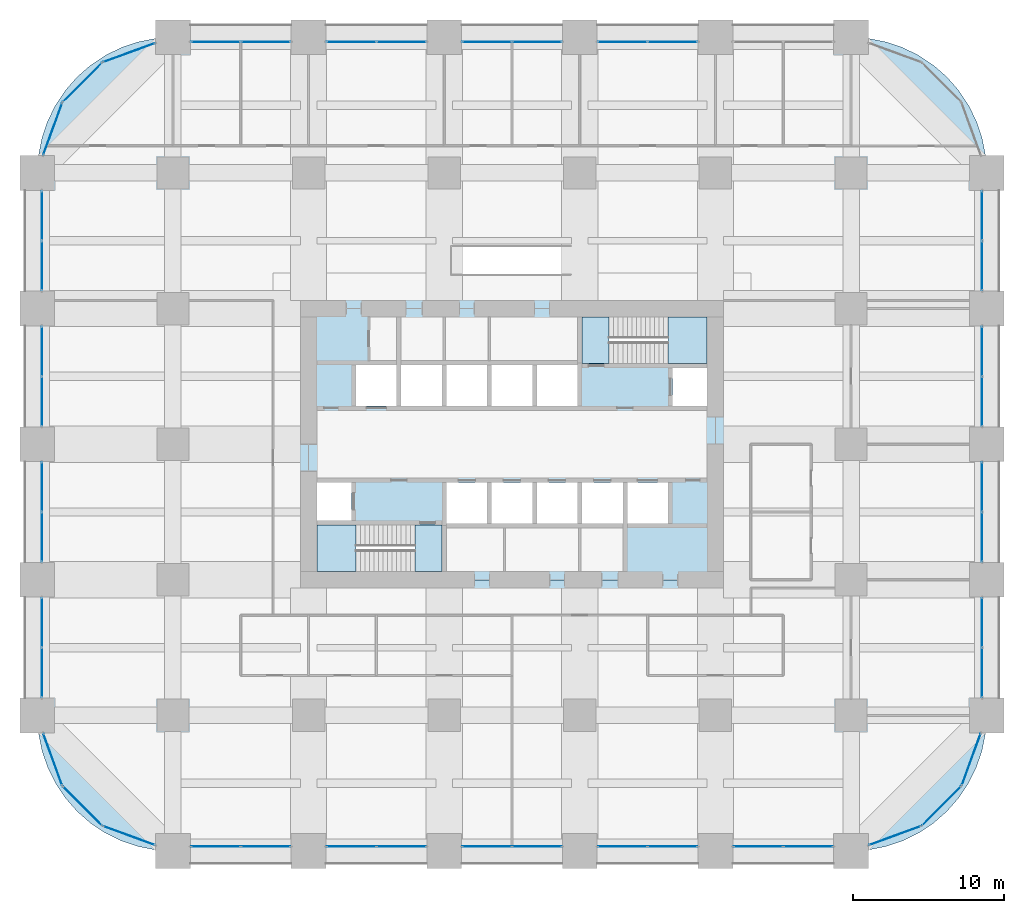
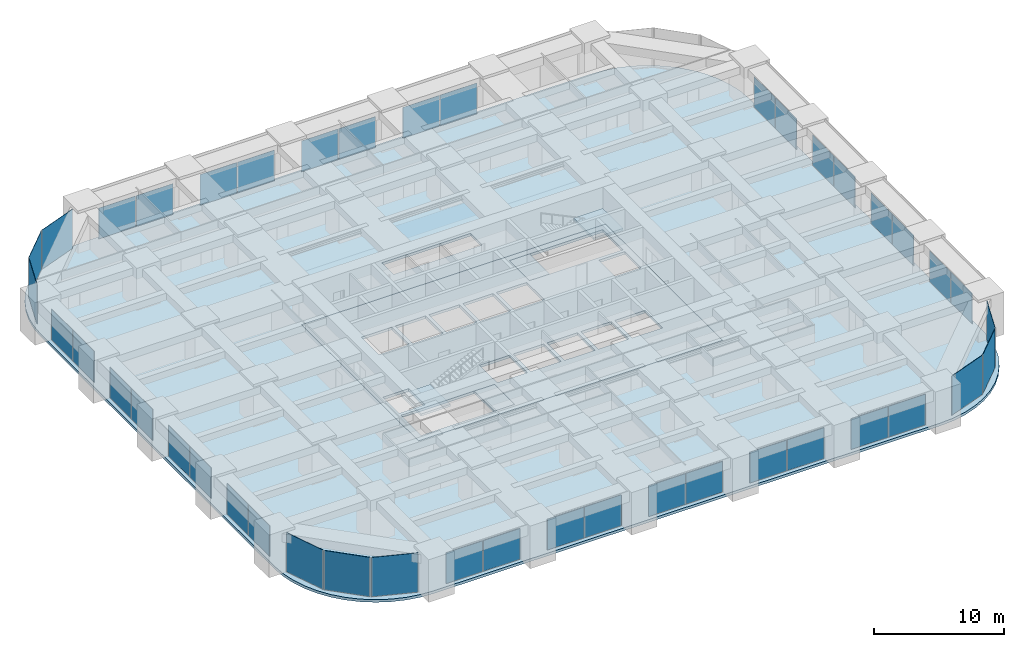
# One storey, part 38 of 44: 43 plates, 6 slabs, 28 elements without a shape of their own.
"""IFC4 building model written with IfcOpenShell, lengths in metres."""

from ifc_helpers import new_model, si_unit, direction, frame, origin, origin_2d, place, context, subcontext, project, spatial, polyline, rectangle, outline, extrude, material, layer, layer_set, type_object, element, aggregate, save


model = new_model("IFC4")

# Units and contexts
model_context = context("Model", 3, precision=1e-05, world=origin(), true_north=direction((0.0, 1.0)))
body_context = subcontext(model_context, "Body", "Model", "MODEL_VIEW")
ifc_project = project(units=[si_unit("LENGTHUNIT", "METRE"), si_unit("AREAUNIT", "SQUARE_METRE"), si_unit("VOLUMEUNIT", "CUBIC_METRE"), si_unit("PLANEANGLEUNIT", "RADIAN"), si_unit("MASSUNIT", "GRAM", prefix="KILO")], contexts=[model_context])

# Site, building, storey
site_placement = place(None, origin())
site = spatial("IfcSite", under=ifc_project, at=site_placement, CompositionType="ELEMENT")
building_placement = place(site_placement, origin())
building = spatial("IfcBuilding", under=site, at=building_placement, Name="Zorevar Civic Tower", CompositionType="ELEMENT")
storey_placement = place(building_placement, frame((0.0, 0.0, 63.800048828125)))
storey = spatial("IfcBuildingStorey", under=building, at=storey_placement, Name="L15", CompositionType="ELEMENT", Elevation=63.800048828125)

# Curtain wall, plates
ifc_material_1 = material(Name="Dark grey solar-control glass in black aluminium frame", Category="aluminium")
curtain_wall_type = type_object("IfcCurtainWallType", Name="Curtain wall CW2 low zone", PredefinedType="NOTDEFINED", material=ifc_material_1)
curtain_wall_1_placement = place(storey_placement, origin())
curtain_wall_1 = element("IfcCurtainWall", 1, at=curtain_wall_1_placement, inside=storey, type_object=curtain_wall_type, Name="CW2 L15", PredefinedType="NOTDEFINED")
ifc_material_2 = material(Name="Dark grey solar-control glass", Category="glass")
ifc_layer_1 = layer(ifc_material_2, 0.031982421875)
ifc_layer_set_1 = layer_set([ifc_layer_1], Name="CW2 panel 32")
plate_type = type_object("IfcPlateType", Name="CW2 panel 32", PredefinedType="CURTAIN_PANEL", material=ifc_layer_set_1)
plate_1_placement = place(storey_placement, frame((11.840087890625, 0.300048828125, 0.06005859375), z_axis=(0.0, 0.0, 1.0), x_axis=(1.0, 0.0, 0.0)))
plate_1 = element("IfcPlate", 2, at=plate_1_placement, type_object=plate_type, Name="CW2 panel 1.1", PredefinedType="CURTAIN_PANEL", context=body_context, shape_type="SweptSolid", body=[
    extrude(rectangle(XDim=3.260009765625, YDim=0.031982421875, at=origin_2d()), origin(), (0.0, 0.0, 1.0), 2.889892578125),
])
plate_2_placement = place(storey_placement, frame((15.159912109375, 0.300048828125, 0.06005859375), z_axis=(0.0, 0.0, 1.0), x_axis=(1.0, 0.0, 0.0)))
plate_2 = element("IfcPlate", 3, at=plate_2_placement, type_object=plate_type, Name="CW2 panel 2.1", PredefinedType="CURTAIN_PANEL", context=body_context, shape_type="SweptSolid", body=[
    extrude(rectangle(XDim=3.260009765625, YDim=0.031982421875, at=origin_2d()), origin(), (0.0, 0.0, 1.0), 2.889892578125),
])
aggregate(curtain_wall_1, [plate_1, plate_2])

curtain_wall_2_placement = place(storey_placement, origin())
curtain_wall_2 = element("IfcCurtainWall", 4, at=curtain_wall_2_placement, inside=storey, type_object=curtain_wall_type, Name="CW2 L15", PredefinedType="NOTDEFINED")
plate_3_placement = place(storey_placement, frame((11.840087890625, 53.699951171875, 0.06005859375), z_axis=(0.0, 0.0, 1.0), x_axis=(1.0, 0.0, 0.0)))
plate_3 = element("IfcPlate", 5, at=plate_3_placement, type_object=plate_type, Name="CW2 panel 1.1", PredefinedType="CURTAIN_PANEL", context=body_context, shape_type="SweptSolid", body=[
    extrude(rectangle(XDim=3.260009765625, YDim=0.031982421875, at=origin_2d()), origin(), (0.0, 0.0, 1.0), 2.889892578125),
])
plate_4_placement = place(storey_placement, frame((15.159912109375, 53.699951171875, 0.06005859375), z_axis=(0.0, 0.0, 1.0), x_axis=(1.0, 0.0, 0.0)))
plate_4 = element("IfcPlate", 6, at=plate_4_placement, type_object=plate_type, Name="CW2 panel 2.1", PredefinedType="CURTAIN_PANEL", context=body_context, shape_type="SweptSolid", body=[
    extrude(rectangle(XDim=3.260009765625, YDim=0.031982421875, at=origin_2d()), origin(), (0.0, 0.0, 1.0), 2.889892578125),
])
aggregate(curtain_wall_2, [plate_3, plate_4])

curtain_wall_3_placement = place(storey_placement, origin())
curtain_wall_3 = element("IfcCurtainWall", 7, at=curtain_wall_3_placement, inside=storey, type_object=curtain_wall_type, Name="CW2 L15", PredefinedType="NOTDEFINED")
plate_5_placement = place(storey_placement, frame((20.840087890625, 0.300048828125, 0.06005859375), z_axis=(0.0, 0.0, 1.0), x_axis=(1.0, 0.0, 0.0)))
plate_5 = element("IfcPlate", 8, at=plate_5_placement, type_object=plate_type, Name="CW2 panel 1.1", PredefinedType="CURTAIN_PANEL", context=body_context, shape_type="SweptSolid", body=[
    extrude(rectangle(XDim=3.260009765625, YDim=0.031982421875, at=origin_2d()), origin(), (0.0, 0.0, 1.0), 2.889892578125),
])
plate_6_placement = place(storey_placement, frame((24.159912109375, 0.300048828125, 0.06005859375), z_axis=(0.0, 0.0, 1.0), x_axis=(1.0, 0.0, 0.0)))
plate_6 = element("IfcPlate", 9, at=plate_6_placement, type_object=plate_type, Name="CW2 panel 2.1", PredefinedType="CURTAIN_PANEL", context=body_context, shape_type="SweptSolid", body=[
    extrude(rectangle(XDim=3.260009765625, YDim=0.031982421875, at=origin_2d()), origin(), (0.0, 0.0, 1.0), 2.889892578125),
])
aggregate(curtain_wall_3, [plate_5, plate_6])

curtain_wall_4_placement = place(storey_placement, origin())
curtain_wall_4 = element("IfcCurtainWall", 10, at=curtain_wall_4_placement, inside=storey, type_object=curtain_wall_type, Name="CW2 L15", PredefinedType="NOTDEFINED")
plate_7_placement = place(storey_placement, frame((20.840087890625, 53.699951171875, 0.06005859375), z_axis=(0.0, 0.0, 1.0), x_axis=(1.0, 0.0, 0.0)))
plate_7 = element("IfcPlate", 11, at=plate_7_placement, type_object=plate_type, Name="CW2 panel 1.1", PredefinedType="CURTAIN_PANEL", context=body_context, shape_type="SweptSolid", body=[
    extrude(rectangle(XDim=3.260009765625, YDim=0.031982421875, at=origin_2d()), origin(), (0.0, 0.0, 1.0), 2.889892578125),
])
plate_8_placement = place(storey_placement, frame((24.159912109375, 53.699951171875, 0.06005859375), z_axis=(0.0, 0.0, 1.0), x_axis=(1.0, 0.0, 0.0)))
plate_8 = element("IfcPlate", 12, at=plate_8_placement, type_object=plate_type, Name="CW2 panel 2.1", PredefinedType="CURTAIN_PANEL", context=body_context, shape_type="SweptSolid", body=[
    extrude(rectangle(XDim=3.260009765625, YDim=0.031982421875, at=origin_2d()), origin(), (0.0, 0.0, 1.0), 2.889892578125),
])
aggregate(curtain_wall_4, [plate_7, plate_8])

curtain_wall_5_placement = place(storey_placement, origin())
curtain_wall_5 = element("IfcCurtainWall", 13, at=curtain_wall_5_placement, inside=storey, type_object=curtain_wall_type, Name="CW2 L15", PredefinedType="NOTDEFINED")
plate_9_placement = place(storey_placement, frame((29.840087890625, 0.300048828125, 0.06005859375), z_axis=(0.0, 0.0, 1.0), x_axis=(1.0, 0.0, 0.0)))
plate_9 = element("IfcPlate", 14, at=plate_9_placement, type_object=plate_type, Name="CW2 panel 1.1", PredefinedType="CURTAIN_PANEL", context=body_context, shape_type="SweptSolid", body=[
    extrude(rectangle(XDim=3.260009765625, YDim=0.031982421875, at=origin_2d()), origin(), (0.0, 0.0, 1.0), 2.889892578125),
])
plate_10_placement = place(storey_placement, frame((33.159912109375, 0.300048828125, 0.06005859375), z_axis=(0.0, 0.0, 1.0), x_axis=(1.0, 0.0, 0.0)))
plate_10 = element("IfcPlate", 15, at=plate_10_placement, type_object=plate_type, Name="CW2 panel 2.1", PredefinedType="CURTAIN_PANEL", context=body_context, shape_type="SweptSolid", body=[
    extrude(rectangle(XDim=3.260009765625, YDim=0.031982421875, at=origin_2d()), origin(), (0.0, 0.0, 1.0), 2.889892578125),
])
aggregate(curtain_wall_5, [plate_9, plate_10])

curtain_wall_6_placement = place(storey_placement, origin())
curtain_wall_6 = element("IfcCurtainWall", 16, at=curtain_wall_6_placement, inside=storey, type_object=curtain_wall_type, Name="CW2 L15", PredefinedType="NOTDEFINED")
plate_11_placement = place(storey_placement, frame((29.840087890625, 53.699951171875, 0.06005859375), z_axis=(0.0, 0.0, 1.0), x_axis=(1.0, 0.0, 0.0)))
plate_11 = element("IfcPlate", 17, at=plate_11_placement, type_object=plate_type, Name="CW2 panel 1.1", PredefinedType="CURTAIN_PANEL", context=body_context, shape_type="SweptSolid", body=[
    extrude(rectangle(XDim=3.260009765625, YDim=0.031982421875, at=origin_2d()), origin(), (0.0, 0.0, 1.0), 2.889892578125),
])
plate_12_placement = place(storey_placement, frame((33.159912109375, 53.699951171875, 0.06005859375), z_axis=(0.0, 0.0, 1.0), x_axis=(1.0, 0.0, 0.0)))
plate_12 = element("IfcPlate", 18, at=plate_12_placement, type_object=plate_type, Name="CW2 panel 2.1", PredefinedType="CURTAIN_PANEL", context=body_context, shape_type="SweptSolid", body=[
    extrude(rectangle(XDim=3.260009765625, YDim=0.031982421875, at=origin_2d()), origin(), (0.0, 0.0, 1.0), 2.889892578125),
])
aggregate(curtain_wall_6, [plate_11, plate_12])

curtain_wall_7_placement = place(storey_placement, origin())
curtain_wall_7 = element("IfcCurtainWall", 19, at=curtain_wall_7_placement, inside=storey, type_object=curtain_wall_type, Name="CW2 L15", PredefinedType="NOTDEFINED")
plate_13_placement = place(storey_placement, frame((38.840087890625, 0.300048828125, 0.06005859375), z_axis=(0.0, 0.0, 1.0), x_axis=(1.0, 0.0, 0.0)))
plate_13 = element("IfcPlate", 20, at=plate_13_placement, type_object=plate_type, Name="CW2 panel 1.1", PredefinedType="CURTAIN_PANEL", context=body_context, shape_type="SweptSolid", body=[
    extrude(rectangle(XDim=3.260009765625, YDim=0.031982421875, at=origin_2d()), origin(), (0.0, 0.0, 1.0), 2.889892578125),
])
plate_14_placement = place(storey_placement, frame((42.159912109375, 0.300048828125, 0.06005859375), z_axis=(0.0, 0.0, 1.0), x_axis=(1.0, 0.0, 0.0)))
plate_14 = element("IfcPlate", 21, at=plate_14_placement, type_object=plate_type, Name="CW2 panel 2.1", PredefinedType="CURTAIN_PANEL", context=body_context, shape_type="SweptSolid", body=[
    extrude(rectangle(XDim=3.260009765625, YDim=0.031982421875, at=origin_2d()), origin(), (0.0, 0.0, 1.0), 2.889892578125),
])
aggregate(curtain_wall_7, [plate_13, plate_14])

curtain_wall_8_placement = place(storey_placement, origin())
curtain_wall_8 = element("IfcCurtainWall", 22, at=curtain_wall_8_placement, inside=storey, type_object=curtain_wall_type, Name="CW2 L15", PredefinedType="NOTDEFINED")
plate_15_placement = place(storey_placement, frame((38.840087890625, 53.699951171875, 0.06005859375), z_axis=(0.0, 0.0, 1.0), x_axis=(1.0, 0.0, 0.0)))
plate_15 = element("IfcPlate", 23, at=plate_15_placement, type_object=plate_type, Name="CW2 panel 1.1", PredefinedType="CURTAIN_PANEL", context=body_context, shape_type="SweptSolid", body=[
    extrude(rectangle(XDim=3.260009765625, YDim=0.031982421875, at=origin_2d()), origin(), (0.0, 0.0, 1.0), 2.889892578125),
])
plate_16_placement = place(storey_placement, frame((42.159912109375, 53.699951171875, 0.06005859375), z_axis=(0.0, 0.0, 1.0), x_axis=(1.0, 0.0, 0.0)))
plate_16 = element("IfcPlate", 24, at=plate_16_placement, type_object=plate_type, Name="CW2 panel 2.1", PredefinedType="CURTAIN_PANEL", context=body_context, shape_type="SweptSolid", body=[
    extrude(rectangle(XDim=3.260009765625, YDim=0.031982421875, at=origin_2d()), origin(), (0.0, 0.0, 1.0), 2.889892578125),
])
aggregate(curtain_wall_8, [plate_15, plate_16])

curtain_wall_9_placement = place(storey_placement, origin())
curtain_wall_9 = element("IfcCurtainWall", 25, at=curtain_wall_9_placement, inside=storey, type_object=curtain_wall_type, Name="CW2 L15", PredefinedType="NOTDEFINED")
plate_17_placement = place(storey_placement, frame((47.840087890625, 0.300048828125, 0.06005859375), z_axis=(0.0, 0.0, 1.0), x_axis=(1.0, 0.0, 0.0)))
plate_17 = element("IfcPlate", 26, at=plate_17_placement, type_object=plate_type, Name="CW2 panel 1.1", PredefinedType="CURTAIN_PANEL", context=body_context, shape_type="SweptSolid", body=[
    extrude(rectangle(XDim=3.260009765625, YDim=0.031982421875, at=origin_2d()), origin(), (0.0, 0.0, 1.0), 2.889892578125),
])
plate_18_placement = place(storey_placement, frame((51.159912109375, 0.300048828125, 0.06005859375), z_axis=(0.0, 0.0, 1.0), x_axis=(1.0, 0.0, 0.0)))
plate_18 = element("IfcPlate", 27, at=plate_18_placement, type_object=plate_type, Name="CW2 panel 2.1", PredefinedType="CURTAIN_PANEL", context=body_context, shape_type="SweptSolid", body=[
    extrude(rectangle(XDim=3.260009765625, YDim=0.031982421875, at=origin_2d()), origin(), (0.0, 0.0, 1.0), 2.889892578125),
])
aggregate(curtain_wall_9, [plate_17, plate_18])

curtain_wall_10_placement = place(storey_placement, origin())
curtain_wall_10 = element("IfcCurtainWall", 28, at=curtain_wall_10_placement, inside=storey, type_object=curtain_wall_type, Name="CW2 L15", PredefinedType="NOTDEFINED")
plate_19_placement = place(storey_placement, frame((0.300048828125, 11.840087890625, 0.06005859375), z_axis=(0.0, 0.0, 1.0), x_axis=(0.0, 1.0, 0.0)))
plate_19 = element("IfcPlate", 29, at=plate_19_placement, type_object=plate_type, Name="CW2 panel 1.1", PredefinedType="CURTAIN_PANEL", context=body_context, shape_type="SweptSolid", body=[
    extrude(rectangle(XDim=3.260009765625, YDim=0.031982421875, at=origin_2d()), origin(), (0.0, 0.0, 1.0), 2.889892578125),
])
plate_20_placement = place(storey_placement, frame((0.300048828125, 15.159912109375, 0.06005859375), z_axis=(0.0, 0.0, 1.0), x_axis=(0.0, 1.0, 0.0)))
plate_20 = element("IfcPlate", 30, at=plate_20_placement, type_object=plate_type, Name="CW2 panel 2.1", PredefinedType="CURTAIN_PANEL", context=body_context, shape_type="SweptSolid", body=[
    extrude(rectangle(XDim=3.260009765625, YDim=0.031982421875, at=origin_2d()), origin(), (0.0, 0.0, 1.0), 2.889892578125),
])
aggregate(curtain_wall_10, [plate_19, plate_20])

curtain_wall_11_placement = place(storey_placement, origin())
curtain_wall_11 = element("IfcCurtainWall", 31, at=curtain_wall_11_placement, inside=storey, type_object=curtain_wall_type, Name="CW2 L15", PredefinedType="NOTDEFINED")
plate_21_placement = place(storey_placement, frame((62.699951171875, 11.840087890625, 0.06005859375), z_axis=(0.0, 0.0, 1.0), x_axis=(0.0, 1.0, 0.0)))
plate_21 = element("IfcPlate", 32, at=plate_21_placement, type_object=plate_type, Name="CW2 panel 1.1", PredefinedType="CURTAIN_PANEL", context=body_context, shape_type="SweptSolid", body=[
    extrude(rectangle(XDim=3.260009765625, YDim=0.031982421875, at=origin_2d()), origin(), (0.0, 0.0, 1.0), 2.889892578125),
])
plate_22_placement = place(storey_placement, frame((62.699951171875, 15.159912109375, 0.06005859375), z_axis=(0.0, 0.0, 1.0), x_axis=(0.0, 1.0, 0.0)))
plate_22 = element("IfcPlate", 33, at=plate_22_placement, type_object=plate_type, Name="CW2 panel 2.1", PredefinedType="CURTAIN_PANEL", context=body_context, shape_type="SweptSolid", body=[
    extrude(rectangle(XDim=3.260009765625, YDim=0.031982421875, at=origin_2d()), origin(), (0.0, 0.0, 1.0), 2.889892578125),
])
aggregate(curtain_wall_11, [plate_21, plate_22])

curtain_wall_12_placement = place(storey_placement, origin())
curtain_wall_12 = element("IfcCurtainWall", 34, at=curtain_wall_12_placement, inside=storey, type_object=curtain_wall_type, Name="CW2 L15", PredefinedType="NOTDEFINED")
plate_23_placement = place(storey_placement, frame((0.300048828125, 20.840087890625, 0.06005859375), z_axis=(0.0, 0.0, 1.0), x_axis=(0.0, 1.0, 0.0)))
plate_23 = element("IfcPlate", 35, at=plate_23_placement, type_object=plate_type, Name="CW2 panel 1.1", PredefinedType="CURTAIN_PANEL", context=body_context, shape_type="SweptSolid", body=[
    extrude(rectangle(XDim=3.260009765625, YDim=0.031982421875, at=origin_2d()), origin(), (0.0, 0.0, 1.0), 2.889892578125),
])
plate_24_placement = place(storey_placement, frame((0.300048828125, 24.159912109375, 0.06005859375), z_axis=(0.0, 0.0, 1.0), x_axis=(0.0, 1.0, 0.0)))
plate_24 = element("IfcPlate", 36, at=plate_24_placement, type_object=plate_type, Name="CW2 panel 2.1", PredefinedType="CURTAIN_PANEL", context=body_context, shape_type="SweptSolid", body=[
    extrude(rectangle(XDim=3.260009765625, YDim=0.031982421875, at=origin_2d()), origin(), (0.0, 0.0, 1.0), 2.889892578125),
])
aggregate(curtain_wall_12, [plate_23, plate_24])

curtain_wall_13_placement = place(storey_placement, origin())
curtain_wall_13 = element("IfcCurtainWall", 37, at=curtain_wall_13_placement, inside=storey, type_object=curtain_wall_type, Name="CW2 L15", PredefinedType="NOTDEFINED")
plate_25_placement = place(storey_placement, frame((62.699951171875, 20.840087890625, 0.06005859375), z_axis=(0.0, 0.0, 1.0), x_axis=(0.0, 1.0, 0.0)))
plate_25 = element("IfcPlate", 38, at=plate_25_placement, type_object=plate_type, Name="CW2 panel 1.1", PredefinedType="CURTAIN_PANEL", context=body_context, shape_type="SweptSolid", body=[
    extrude(rectangle(XDim=3.260009765625, YDim=0.031982421875, at=origin_2d()), origin(), (0.0, 0.0, 1.0), 2.889892578125),
])
plate_26_placement = place(storey_placement, frame((62.699951171875, 24.159912109375, 0.06005859375), z_axis=(0.0, 0.0, 1.0), x_axis=(0.0, 1.0, 0.0)))
plate_26 = element("IfcPlate", 39, at=plate_26_placement, type_object=plate_type, Name="CW2 panel 2.1", PredefinedType="CURTAIN_PANEL", context=body_context, shape_type="SweptSolid", body=[
    extrude(rectangle(XDim=3.260009765625, YDim=0.031982421875, at=origin_2d()), origin(), (0.0, 0.0, 1.0), 2.889892578125),
])
aggregate(curtain_wall_13, [plate_25, plate_26])

curtain_wall_14_placement = place(storey_placement, origin())
curtain_wall_14 = element("IfcCurtainWall", 40, at=curtain_wall_14_placement, inside=storey, type_object=curtain_wall_type, Name="CW2 L15", PredefinedType="NOTDEFINED")
plate_27_placement = place(storey_placement, frame((0.300048828125, 29.840087890625, 0.06005859375), z_axis=(0.0, 0.0, 1.0), x_axis=(0.0, 1.0, 0.0)))
plate_27 = element("IfcPlate", 41, at=plate_27_placement, type_object=plate_type, Name="CW2 panel 1.1", PredefinedType="CURTAIN_PANEL", context=body_context, shape_type="SweptSolid", body=[
    extrude(rectangle(XDim=3.260009765625, YDim=0.031982421875, at=origin_2d()), origin(), (0.0, 0.0, 1.0), 2.889892578125),
])
plate_28_placement = place(storey_placement, frame((0.300048828125, 33.159912109375, 0.06005859375), z_axis=(0.0, 0.0, 1.0), x_axis=(0.0, 1.0, 0.0)))
plate_28 = element("IfcPlate", 42, at=plate_28_placement, type_object=plate_type, Name="CW2 panel 2.1", PredefinedType="CURTAIN_PANEL", context=body_context, shape_type="SweptSolid", body=[
    extrude(rectangle(XDim=3.260009765625, YDim=0.031982421875, at=origin_2d()), origin(), (0.0, 0.0, 1.0), 2.889892578125),
])
aggregate(curtain_wall_14, [plate_27, plate_28])

curtain_wall_15_placement = place(storey_placement, origin())
curtain_wall_15 = element("IfcCurtainWall", 43, at=curtain_wall_15_placement, inside=storey, type_object=curtain_wall_type, Name="CW2 L15", PredefinedType="NOTDEFINED")
plate_29_placement = place(storey_placement, frame((62.699951171875, 29.840087890625, 0.06005859375), z_axis=(0.0, 0.0, 1.0), x_axis=(0.0, 1.0, 0.0)))
plate_29 = element("IfcPlate", 44, at=plate_29_placement, type_object=plate_type, Name="CW2 panel 1.1", PredefinedType="CURTAIN_PANEL", context=body_context, shape_type="SweptSolid", body=[
    extrude(rectangle(XDim=3.260009765625, YDim=0.031982421875, at=origin_2d()), origin(), (0.0, 0.0, 1.0), 2.889892578125),
])
plate_30_placement = place(storey_placement, frame((62.699951171875, 33.159912109375, 0.06005859375), z_axis=(0.0, 0.0, 1.0), x_axis=(0.0, 1.0, 0.0)))
plate_30 = element("IfcPlate", 45, at=plate_30_placement, type_object=plate_type, Name="CW2 panel 2.1", PredefinedType="CURTAIN_PANEL", context=body_context, shape_type="SweptSolid", body=[
    extrude(rectangle(XDim=3.260009765625, YDim=0.031982421875, at=origin_2d()), origin(), (0.0, 0.0, 1.0), 2.889892578125),
])
aggregate(curtain_wall_15, [plate_29, plate_30])

curtain_wall_16_placement = place(storey_placement, origin())
curtain_wall_16 = element("IfcCurtainWall", 46, at=curtain_wall_16_placement, inside=storey, type_object=curtain_wall_type, Name="CW2 L15", PredefinedType="NOTDEFINED")
plate_31_placement = place(storey_placement, frame((0.300048828125, 38.840087890625, 0.06005859375), z_axis=(0.0, 0.0, 1.0), x_axis=(0.0, 1.0, 0.0)))
plate_31 = element("IfcPlate", 47, at=plate_31_placement, type_object=plate_type, Name="CW2 panel 1.1", PredefinedType="CURTAIN_PANEL", context=body_context, shape_type="SweptSolid", body=[
    extrude(rectangle(XDim=3.260009765625, YDim=0.031982421875, at=origin_2d()), origin(), (0.0, 0.0, 1.0), 2.889892578125),
])
plate_32_placement = place(storey_placement, frame((0.300048828125, 42.159912109375, 0.06005859375), z_axis=(0.0, 0.0, 1.0), x_axis=(0.0, 1.0, 0.0)))
plate_32 = element("IfcPlate", 48, at=plate_32_placement, type_object=plate_type, Name="CW2 panel 2.1", PredefinedType="CURTAIN_PANEL", context=body_context, shape_type="SweptSolid", body=[
    extrude(rectangle(XDim=3.260009765625, YDim=0.031982421875, at=origin_2d()), origin(), (0.0, 0.0, 1.0), 2.889892578125),
])
aggregate(curtain_wall_16, [plate_31, plate_32])

curtain_wall_17_placement = place(storey_placement, origin())
curtain_wall_17 = element("IfcCurtainWall", 49, at=curtain_wall_17_placement, inside=storey, type_object=curtain_wall_type, Name="CW2 L15", PredefinedType="NOTDEFINED")
plate_33_placement = place(storey_placement, frame((62.699951171875, 38.840087890625, 0.06005859375), z_axis=(0.0, 0.0, 1.0), x_axis=(0.0, 1.0, 0.0)))
plate_33 = element("IfcPlate", 50, at=plate_33_placement, type_object=plate_type, Name="CW2 panel 1.1", PredefinedType="CURTAIN_PANEL", context=body_context, shape_type="SweptSolid", body=[
    extrude(rectangle(XDim=3.260009765625, YDim=0.031982421875, at=origin_2d()), origin(), (0.0, 0.0, 1.0), 2.889892578125),
])
plate_34_placement = place(storey_placement, frame((62.699951171875, 42.159912109375, 0.06005859375), z_axis=(0.0, 0.0, 1.0), x_axis=(0.0, 1.0, 0.0)))
plate_34 = element("IfcPlate", 51, at=plate_34_placement, type_object=plate_type, Name="CW2 panel 2.1", PredefinedType="CURTAIN_PANEL", context=body_context, shape_type="SweptSolid", body=[
    extrude(rectangle(XDim=3.260009765625, YDim=0.031982421875, at=origin_2d()), origin(), (0.0, 0.0, 1.0), 2.889892578125),
])
aggregate(curtain_wall_17, [plate_33, plate_34])

# Curtain wall, plate
curtain_wall_18_placement = place(storey_placement, origin())
curtain_wall_18 = element("IfcCurtainWall", 52, at=curtain_wall_18_placement, inside=storey, type_object=curtain_wall_type, Name="CW2 L15", PredefinedType="NOTDEFINED")
plate_35_placement = place(storey_placement, frame((56.914306640625, 1.020751953125, 0.06005859375), z_axis=(0.0, 0.0, 1.0), x_axis=(0.939313345732, 0.343060400701, 0.0)))
plate_35 = element("IfcPlate", 53, at=plate_35_placement, type_object=plate_type, Name="CW2 panel 1.1", PredefinedType="CURTAIN_PANEL", context=body_context, shape_type="SweptSolid", body=[
    extrude(rectangle(XDim=3.636474609375, YDim=0.031982421875, at=origin_2d()), origin(), (0.0, 0.0, 1.0), 3.68994140625),
])
aggregate(curtain_wall_18, [plate_35])

curtain_wall_19_placement = place(storey_placement, origin())
curtain_wall_19 = element("IfcCurtainWall", 54, at=curtain_wall_19_placement, inside=storey, type_object=curtain_wall_type, Name="CW2 L15", PredefinedType="NOTDEFINED")
plate_36_placement = place(storey_placement, frame((60.0068359375, 2.9931640625, 0.06005859375), z_axis=(0.0, 0.0, 1.0), x_axis=(0.707106781187, 0.707106781187, 0.0)))
plate_36 = element("IfcPlate", 55, at=plate_36_placement, type_object=plate_type, Name="CW2 panel 1.1", PredefinedType="CURTAIN_PANEL", context=body_context, shape_type="SweptSolid", body=[
    extrude(rectangle(XDim=3.636474609375, YDim=0.031982421875, at=origin_2d()), origin(), (0.0, 0.0, 1.0), 3.68994140625),
])
aggregate(curtain_wall_19, [plate_36])

curtain_wall_20_placement = place(storey_placement, origin())
curtain_wall_20 = element("IfcCurtainWall", 56, at=curtain_wall_20_placement, inside=storey, type_object=curtain_wall_type, Name="CW2 L15", PredefinedType="NOTDEFINED")
plate_37_placement = place(storey_placement, frame((61.979248046875, 6.085693359375, 0.06005859375), z_axis=(0.0, 0.0, 1.0), x_axis=(0.343060400701, 0.939313345732, 0.0)))
plate_37 = element("IfcPlate", 57, at=plate_37_placement, type_object=plate_type, Name="CW2 panel 1.1", PredefinedType="CURTAIN_PANEL", context=body_context, shape_type="SweptSolid", body=[
    extrude(rectangle(XDim=3.636474609375, YDim=0.031982421875, at=origin_2d()), origin(), (0.0, 0.0, 1.0), 3.68994140625),
])
aggregate(curtain_wall_20, [plate_37])

curtain_wall_21_placement = place(storey_placement, origin())
curtain_wall_21 = element("IfcCurtainWall", 58, at=curtain_wall_21_placement, inside=storey, type_object=curtain_wall_type, Name="CW2 L15", PredefinedType="NOTDEFINED")
plate_38_placement = place(storey_placement, frame((6.085693359375, 52.979248046875, 0.06005859375), z_axis=(0.0, 0.0, 1.0), x_axis=(-0.939313345732, -0.343060400701, 0.0)))
plate_38 = element("IfcPlate", 59, at=plate_38_placement, type_object=plate_type, Name="CW2 panel 1.1", PredefinedType="CURTAIN_PANEL", context=body_context, shape_type="SweptSolid", body=[
    extrude(rectangle(XDim=3.636474609375, YDim=0.031982421875, at=origin_2d()), origin(), (0.0, 0.0, 1.0), 3.68994140625),
])
aggregate(curtain_wall_21, [plate_38])

curtain_wall_22_placement = place(storey_placement, origin())
curtain_wall_22 = element("IfcCurtainWall", 60, at=curtain_wall_22_placement, inside=storey, type_object=curtain_wall_type, Name="CW2 L15", PredefinedType="NOTDEFINED")
plate_39_placement = place(storey_placement, frame((2.9931640625, 51.0068359375, 0.06005859375), z_axis=(0.0, 0.0, 1.0), x_axis=(-0.707106781187, -0.707106781187, 0.0)))
plate_39 = element("IfcPlate", 61, at=plate_39_placement, type_object=plate_type, Name="CW2 panel 1.1", PredefinedType="CURTAIN_PANEL", context=body_context, shape_type="SweptSolid", body=[
    extrude(rectangle(XDim=3.636474609375, YDim=0.031982421875, at=origin_2d()), origin(), (0.0, 0.0, 1.0), 3.68994140625),
])
aggregate(curtain_wall_22, [plate_39])

curtain_wall_23_placement = place(storey_placement, origin())
curtain_wall_23 = element("IfcCurtainWall", 62, at=curtain_wall_23_placement, inside=storey, type_object=curtain_wall_type, Name="CW2 L15", PredefinedType="NOTDEFINED")
plate_40_placement = place(storey_placement, frame((1.020751953125, 47.914306640625, 0.06005859375), z_axis=(0.0, 0.0, 1.0), x_axis=(-0.343060400701, -0.939313345732, 0.0)))
plate_40 = element("IfcPlate", 63, at=plate_40_placement, type_object=plate_type, Name="CW2 panel 1.1", PredefinedType="CURTAIN_PANEL", context=body_context, shape_type="SweptSolid", body=[
    extrude(rectangle(XDim=3.636474609375, YDim=0.031982421875, at=origin_2d()), origin(), (0.0, 0.0, 1.0), 3.68994140625),
])
aggregate(curtain_wall_23, [plate_40])

curtain_wall_24_placement = place(storey_placement, origin())
curtain_wall_24 = element("IfcCurtainWall", 64, at=curtain_wall_24_placement, inside=storey, type_object=curtain_wall_type, Name="CW2 L15", PredefinedType="NOTDEFINED")
plate_41_placement = place(storey_placement, frame((1.020751953125, 6.085693359375, 0.06005859375), z_axis=(0.0, 0.0, 1.0), x_axis=(0.343060400701, -0.939313345732, 0.0)))
plate_41 = element("IfcPlate", 65, at=plate_41_placement, type_object=plate_type, Name="CW2 panel 1.1", PredefinedType="CURTAIN_PANEL", context=body_context, shape_type="SweptSolid", body=[
    extrude(rectangle(XDim=3.636474609375, YDim=0.031982421875, at=origin_2d()), origin(), (0.0, 0.0, 1.0), 3.68994140625),
])
aggregate(curtain_wall_24, [plate_41])

curtain_wall_25_placement = place(storey_placement, origin())
curtain_wall_25 = element("IfcCurtainWall", 66, at=curtain_wall_25_placement, inside=storey, type_object=curtain_wall_type, Name="CW2 L15", PredefinedType="NOTDEFINED")
plate_42_placement = place(storey_placement, frame((2.9931640625, 2.9931640625, 0.06005859375), z_axis=(0.0, 0.0, 1.0), x_axis=(0.707106781187, -0.707106781187, 0.0)))
plate_42 = element("IfcPlate", 67, at=plate_42_placement, type_object=plate_type, Name="CW2 panel 1.1", PredefinedType="CURTAIN_PANEL", context=body_context, shape_type="SweptSolid", body=[
    extrude(rectangle(XDim=3.636474609375, YDim=0.031982421875, at=origin_2d()), origin(), (0.0, 0.0, 1.0), 3.68994140625),
])
aggregate(curtain_wall_25, [plate_42])

curtain_wall_26_placement = place(storey_placement, origin())
curtain_wall_26 = element("IfcCurtainWall", 68, at=curtain_wall_26_placement, inside=storey, type_object=curtain_wall_type, Name="CW2 L15", PredefinedType="NOTDEFINED")
plate_43_placement = place(storey_placement, frame((6.085693359375, 1.020751953125, 0.06005859375), z_axis=(0.0, 0.0, 1.0), x_axis=(0.939313345732, -0.343060400701, 0.0)))
plate_43 = element("IfcPlate", 69, at=plate_43_placement, type_object=plate_type, Name="CW2 panel 1.1", PredefinedType="CURTAIN_PANEL", context=body_context, shape_type="SweptSolid", body=[
    extrude(rectangle(XDim=3.636474609375, YDim=0.031982421875, at=origin_2d()), origin(), (0.0, 0.0, 1.0), 3.68994140625),
])
aggregate(curtain_wall_26, [plate_43])

# Slabs
ifc_material_3 = material(Name="Concrete C40/50", Category="concrete")
ifc_layer_2 = layer(ifc_material_3, 0.25)
ifc_layer_set_2 = layer_set([ifc_layer_2], Name="Floor slab 250")
slab_type_1 = type_object("IfcSlabType", Name="Floor slab 250", PredefinedType="FLOOR", material=ifc_layer_set_2)
slab_1_placement = place(storey_placement, frame((0.0, 0.0, -0.25)))
element("IfcSlab", 70, at=slab_1_placement, inside=storey, type_object=slab_type_1, Name="Floor slab L15", PredefinedType="FLOOR", context=body_context, shape_type="SweptSolid", body=[
    extrude(outline(polyline([(54.0, 0.0), (55.1748046875, 0.076904296875), (56.329345703125, 0.306640625), (57.444091796875, 0.68505859375), (58.5, 1.205810546875), (59.478759765625, 1.85986328125), (60.364013671875, 2.635986328125), (61.14013671875, 3.521240234375), (61.794189453125, 4.5), (62.31494140625, 5.555908203125), (62.693359375, 6.670654296875), (62.923095703125, 7.8251953125), (63.0, 9.0), (63.0, 45.0), (62.923095703125, 46.1748046875), (62.693359375, 47.329345703125), (62.31494140625, 48.444091796875), (61.794189453125, 49.5), (61.14013671875, 50.478759765625), (60.364013671875, 51.364013671875), (59.478759765625, 52.14013671875), (58.5, 52.794189453125), (57.444091796875, 53.31494140625), (56.329345703125, 53.693359375), (55.1748046875, 53.923095703125), (54.0, 54.0), (9.0, 54.0), (7.8251953125, 53.923095703125), (6.670654296875, 53.693359375), (5.555908203125, 53.31494140625), (4.5, 52.794189453125), (3.521240234375, 52.14013671875), (2.635986328125, 51.364013671875), (1.85986328125, 50.478759765625), (1.205810546875, 49.5), (0.68505859375, 48.444091796875), (0.306640625, 47.329345703125), (0.076904296875, 46.1748046875), (0.0, 45.0), (0.0, 9.0), (0.076904296875, 7.8251953125), (0.306640625, 6.670654296875), (0.68505859375, 5.555908203125), (1.205810546875, 4.5), (1.85986328125, 3.521240234375), (2.635986328125, 2.635986328125), (3.521240234375, 1.85986328125), (4.5, 1.205810546875), (5.555908203125, 0.68505859375), (6.670654296875, 0.306640625), (7.8251953125, 0.076904296875), (9.0, 0.0), (54.0, 0.0)]), holes=[polyline([(18.0, 18.0), (45.0, 18.0), (45.0, 36.0), (18.0, 36.0), (18.0, 18.0)]), polyline([(27.5, 38.300048828125), (35.39990234375, 38.300048828125), (35.39990234375, 40.10009765625), (27.5, 40.10009765625), (27.5, 38.300048828125)])]), origin(), (0.0, 0.0, 1.0), 0.25),
])
slab_2_placement = place(storey_placement, frame((0.0, 0.0, -0.25)))
element("IfcSlab", 71, at=slab_2_placement, inside=storey, type_object=slab_type_1, Name="Core floor L15", PredefinedType="FLOOR", context=body_context, shape_type="SweptSolid", body=[
    extrude(outline(polyline([(18.0, 18.0), (45.0, 18.0), (45.0, 36.0), (18.0, 36.0), (18.0, 18.0)]), holes=[polyline([(18.550048828125, 18.550048828125), (26.85009765625, 18.550048828125), (26.85009765625, 21.64990234375), (18.550048828125, 21.64990234375), (18.550048828125, 18.550048828125)]), polyline([(36.14990234375, 32.35009765625), (44.449951171875, 32.35009765625), (44.449951171875, 35.449951171875), (36.14990234375, 35.449951171875), (36.14990234375, 32.35009765625)]), polyline([(18.550048828125, 21.949951171875), (20.85009765625, 21.949951171875), (20.85009765625, 24.449951171875), (18.550048828125, 24.449951171875), (18.550048828125, 21.949951171875)]), polyline([(42.14990234375, 29.550048828125), (44.449951171875, 29.550048828125), (44.449951171875, 32.050048828125), (42.14990234375, 32.050048828125), (42.14990234375, 29.550048828125)]), polyline([(27.14990234375, 21.75), (29.85009765625, 21.75), (29.85009765625, 24.449951171875), (27.14990234375, 24.449951171875), (27.14990234375, 21.75)]), polyline([(33.14990234375, 29.550048828125), (35.85009765625, 29.550048828125), (35.85009765625, 32.25), (33.14990234375, 32.25), (33.14990234375, 29.550048828125)]), polyline([(30.14990234375, 21.75), (32.85009765625, 21.75), (32.85009765625, 24.449951171875), (30.14990234375, 24.449951171875), (30.14990234375, 21.75)]), polyline([(30.14990234375, 29.550048828125), (32.85009765625, 29.550048828125), (32.85009765625, 32.25), (30.14990234375, 32.25), (30.14990234375, 29.550048828125)]), polyline([(33.14990234375, 21.75), (35.85009765625, 21.75), (35.85009765625, 24.449951171875), (33.14990234375, 24.449951171875), (33.14990234375, 21.75)]), polyline([(27.14990234375, 29.550048828125), (29.85009765625, 29.550048828125), (29.85009765625, 32.25), (27.14990234375, 32.25), (27.14990234375, 29.550048828125)]), polyline([(36.14990234375, 21.75), (38.85009765625, 21.75), (38.85009765625, 24.449951171875), (36.14990234375, 24.449951171875), (36.14990234375, 21.75)]), polyline([(24.14990234375, 29.550048828125), (26.85009765625, 29.550048828125), (26.85009765625, 32.25), (24.14990234375, 32.25), (24.14990234375, 29.550048828125)]), polyline([(39.14990234375, 21.75), (41.85009765625, 21.75), (41.85009765625, 24.449951171875), (39.14990234375, 24.449951171875), (39.14990234375, 21.75)]), polyline([(21.14990234375, 29.550048828125), (23.85009765625, 29.550048828125), (23.85009765625, 32.25), (21.14990234375, 32.25), (21.14990234375, 29.550048828125)])]), origin(), (0.0, 0.0, 1.0), 0.25),
])

# Stair, slabs
ifc_material_4 = material(Name="Precast concrete C40/50", Category="concrete")
stair_type = type_object("IfcStairType", Name="Stair ST 28R", PredefinedType="HALF_TURN_STAIR", material=ifc_material_4)
stair_1_placement = place(storey_placement, origin())
stair_1 = element("IfcStair", 72, at=stair_1_placement, inside=storey, type_object=stair_type, Name="Stair ST1 L15", PredefinedType="HALF_TURN_STAIR")
ifc_material_5 = material(Name="Concrete C40/50", Category="concrete")
ifc_layer_3 = layer(ifc_material_5, 0.199951171875)
ifc_layer_set_3 = layer_set([ifc_layer_3], Name="Stair landing 200")
slab_type_2 = type_object("IfcSlabType", Name="Stair landing 200", PredefinedType="LANDING", material=ifc_layer_set_3)
slab_3_placement = place(storey_placement, frame((0.0, 0.0, -0.199951171875)))
slab_3 = element("IfcSlab", 73, at=slab_3_placement, type_object=slab_type_2, Name="ST1 landing 1", PredefinedType="LANDING", context=body_context, shape_type="SweptSolid", body=[
    extrude(outline(polyline([(25.050048828125, 18.550048828125), (26.85009765625, 18.550048828125), (26.85009765625, 21.64990234375), (25.050048828125, 21.64990234375), (25.050048828125, 18.550048828125)])), origin(), (0.0, 0.0, 1.0), 0.199951171875),
])
slab_4_placement = place(storey_placement, frame((0.0, 0.0, 1.800048828125)))
slab_4 = element("IfcSlab", 74, at=slab_4_placement, type_object=slab_type_2, Name="ST1 landing 2", PredefinedType="LANDING", context=body_context, shape_type="SweptSolid", body=[
    extrude(outline(polyline([(18.550048828125, 18.550048828125), (21.14990234375, 18.550048828125), (21.14990234375, 21.64990234375), (18.550048828125, 21.64990234375), (18.550048828125, 18.550048828125)])), origin(), (0.0, 0.0, 1.0), 0.199951171875),
])
aggregate(stair_1, [slab_3, slab_4])

stair_2_placement = place(storey_placement, origin())
stair_2 = element("IfcStair", 75, at=stair_2_placement, inside=storey, type_object=stair_type, Name="Stair ST2 L15", PredefinedType="HALF_TURN_STAIR")
slab_5_placement = place(storey_placement, frame((0.0, 0.0, -0.199951171875)))
slab_5 = element("IfcSlab", 76, at=slab_5_placement, type_object=slab_type_2, Name="ST2 landing 1", PredefinedType="LANDING", context=body_context, shape_type="SweptSolid", body=[
    extrude(outline(polyline([(37.949951171875, 32.35009765625), (36.14990234375, 32.35009765625), (36.14990234375, 35.449951171875), (37.949951171875, 35.449951171875), (37.949951171875, 32.35009765625)])), origin(), (0.0, 0.0, 1.0), 0.199951171875),
])
slab_6_placement = place(storey_placement, frame((0.0, 0.0, 1.800048828125)))
slab_6 = element("IfcSlab", 77, at=slab_6_placement, type_object=slab_type_2, Name="ST2 landing 2", PredefinedType="LANDING", context=body_context, shape_type="SweptSolid", body=[
    extrude(outline(polyline([(44.449951171875, 32.35009765625), (41.85009765625, 32.35009765625), (41.85009765625, 35.449951171875), (44.449951171875, 35.449951171875), (44.449951171875, 32.35009765625)])), origin(), (0.0, 0.0, 1.0), 0.199951171875),
])
aggregate(stair_2, [slab_5, slab_6])

save(model, "model.ifc")
